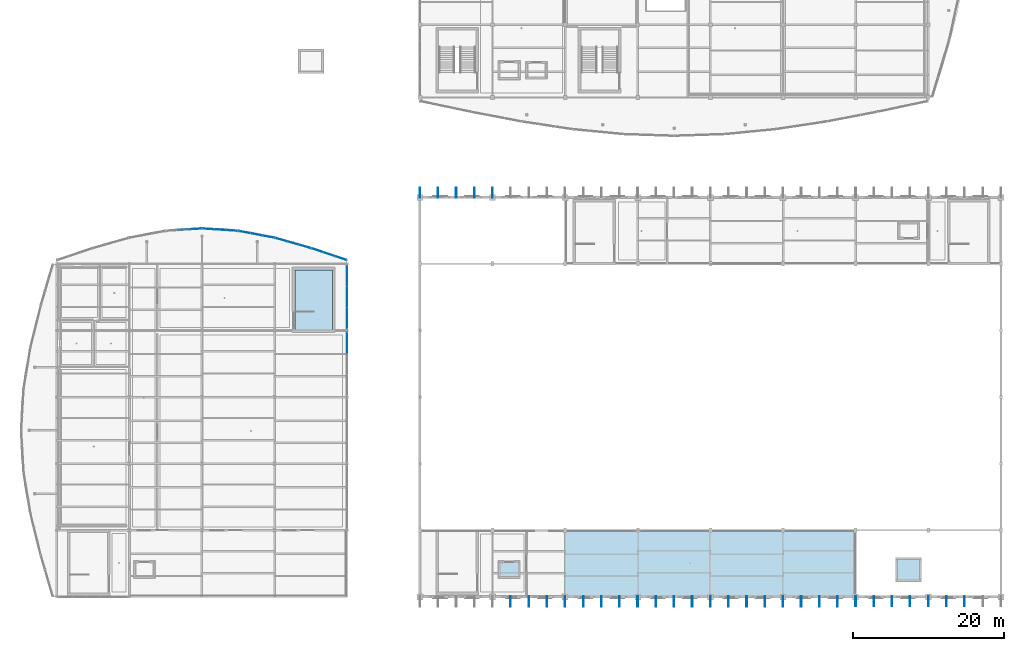
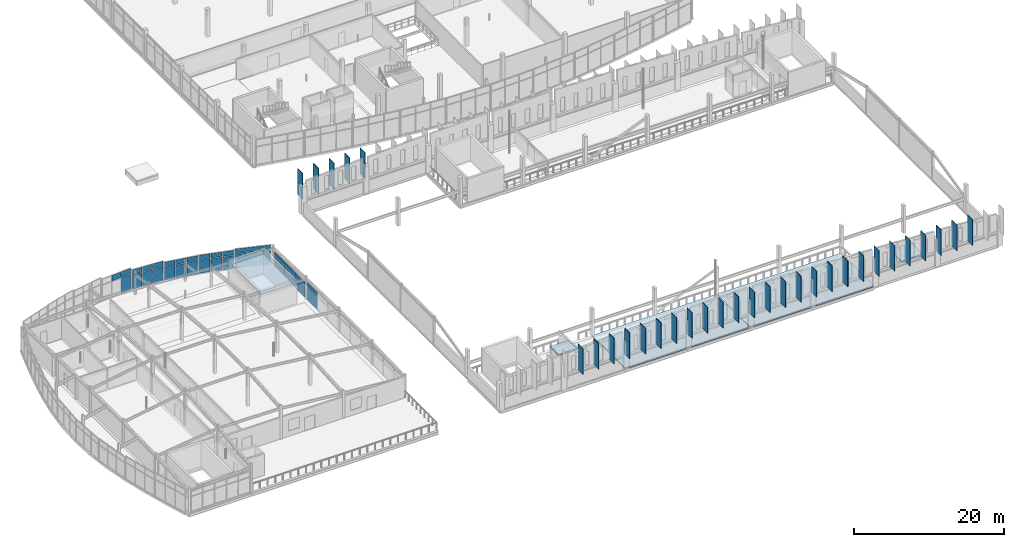
# One storey, part 83 of 114: 66 plates, 5 slabs, 7 elements without a shape of their own.
"""IFC4 building model written with IfcOpenShell, lengths in metres."""

import ifcopenshell
import ifcopenshell.guid

model = None  # the IFC model being written
_history = None  # IfcOwnerHistory: only IFC2X3 demands one
_inside = {}  # id of a spatial element -> (the spatial element, [elements in it])
_under = {}  # id of a project, library or spatial element -> (it, [spatial elements below it])
_declared = {}  # id of a project -> (the project, [libraries it declares])
_typed = {}  # id of a type object -> (the type object, [elements of that type])
_made_of = {}  # id of a material, layer set ... -> (it, [elements and type objects made of it])


def new_model(schema):
    """Start an empty IFC model of exactly this schema.

    Asked for "IFC4X3", IfcOpenShell would pick the latest addendum, in which some entities
    have other attributes; the version numbers below select the first issue.
    IFC2X3 requires an IfcOwnerHistory on every rooted entity: one is made here for all.
    """
    global model, _history
    if schema == "IFC4X3":
        model = ifcopenshell.file(schema_version=(4, 3, 0, 0))
    else:
        model = ifcopenshell.file(schema=schema)
    _inside.clear()
    _under.clear()
    _declared.clear()
    _typed.clear()
    _made_of.clear()
    _history = None
    if model.schema == "IFC2X3":
        org = make("IfcOrganization", Name="unknown")
        user = make(
            "IfcPersonAndOrganization",
            ThePerson=make("IfcPerson", FamilyName="unknown"),
            TheOrganization=org,
        )
        app = make(
            "IfcApplication",
            ApplicationDeveloper=org,
            Version="unknown",
            ApplicationFullName="unknown",
            ApplicationIdentifier="unknown",
        )
        _history = make(
            "IfcOwnerHistory",
            OwningUser=user,
            OwningApplication=app,
            ChangeAction="ADDED",
            CreationDate=0,
        )
    return model


def make(cls, **values):
    """One entity of the class cls with the attributes given. An attribute that is None is left unset."""
    return model.create_entity(
        cls, **{name: value for name, value in values.items() if value is not None}
    )


def rooted(cls, **values):
    """An entity with a GlobalId (a new one), such as an element, a storey or a relation."""
    return make(cls, GlobalId=ifcopenshell.guid.new(), OwnerHistory=_history, **values)


def si_unit(unit_type, name, prefix=None):
    """IfcSIUnit, for example si_unit("LENGTHUNIT", "METRE", prefix="MILLI")."""
    return make("IfcSIUnit", UnitType=unit_type, Prefix=prefix, Name=name)


def assignment(units):
    """IfcUnitAssignment: the units of a project."""
    return None if units is None else make("IfcUnitAssignment", Units=units)


def point(xyz):
    """IfcCartesianPoint."""
    return None if xyz is None else make("IfcCartesianPoint", Coordinates=xyz)


def direction(xyz):
    """IfcDirection."""
    return None if xyz is None else make("IfcDirection", DirectionRatios=xyz)


def frame(location, z_axis=None, x_axis=None):
    """IfcAxis2Placement3D, a coordinate frame: its origin and axes. An axis left out is left unset."""
    return make(
        "IfcAxis2Placement3D",
        Location=point(location),
        Axis=direction(z_axis),
        RefDirection=direction(x_axis),
    )


def frame_2d(location, x_axis=None):
    """IfcAxis2Placement2D, a coordinate frame in the plane: its origin and x axis."""
    return make(
        "IfcAxis2Placement2D", Location=point(location), RefDirection=direction(x_axis)
    )


def origin():
    """The frame at (0, 0, 0) with its axes left unset."""
    return frame((0.0, 0.0, 0.0))


def origin_2d():
    """The frame at (0, 0) in the plane with its x axis left unset."""
    return frame_2d((0.0, 0.0))


def place(relative_to, where):
    """IfcLocalPlacement: puts the frame where relative to a parent placement (None: the world)."""
    return make(
        "IfcLocalPlacement", PlacementRelTo=relative_to, RelativePlacement=where
    )


def context(
    kind, dimensions, precision=None, world=None, true_north=None, identifier=None
):
    """IfcGeometricRepresentationContext, for example the 3D "Model" context."""
    return make(
        "IfcGeometricRepresentationContext",
        ContextIdentifier=identifier,
        ContextType=kind,
        CoordinateSpaceDimension=dimensions,
        Precision=precision,
        WorldCoordinateSystem=world,
        TrueNorth=true_north,
    )


def subcontext(parent, identifier, kind, view, scale=None):
    """IfcGeometricRepresentationSubContext, for example "Body" below "Model"."""
    return make(
        "IfcGeometricRepresentationSubContext",
        ContextIdentifier=identifier,
        ContextType=kind,
        ParentContext=parent,
        TargetScale=scale,
        TargetView=view,
    )


def project(units=None, contexts=None):
    """IfcProject with its units and contexts."""
    return rooted(
        "IfcProject",
        Name="project",
        RepresentationContexts=contexts,
        UnitsInContext=assignment(units),
    )


def spatial(cls, under=None, at=None, **own):
    """A site, building, storey or space (cls), placed at a placement, below another one or the project."""
    s = rooted(cls, ObjectPlacement=at, **own)
    if under is not None:
        _under.setdefault(under.id(), (under, []))[1].append(s)
    return s


def polyline(points):
    """IfcPolyline through the points."""
    return make("IfcPolyline", Points=[point(p) for p in points])


def profile(cls, at=None, kind="AREA", **sizes):
    """A parametric profile (cls). Its sizes go by their IFC names, for example OverallWidth=200.0."""
    return make(cls, ProfileType=kind, Position=at, **sizes)


def rectangle(**sizes):
    """IfcRectangleProfileDef."""
    return profile("IfcRectangleProfileDef", **sizes)


def outline(outer, holes=None, kind="AREA"):
    """IfcArbitraryClosedProfileDef: a profile drawn as a closed curve; with holes, ...WithVoids."""
    if holes is None:
        return make("IfcArbitraryClosedProfileDef", ProfileType=kind, OuterCurve=outer)
    return make(
        "IfcArbitraryProfileDefWithVoids",
        ProfileType=kind,
        OuterCurve=outer,
        InnerCurves=holes,
    )


def extrude(swept, where, along, depth):
    """IfcExtrudedAreaSolid: the profile swept, set in the frame where, extruded along a direction by depth."""
    return make(
        "IfcExtrudedAreaSolid",
        SweptArea=swept,
        Position=where,
        ExtrudedDirection=direction(along),
        Depth=depth,
    )


def shape(context_of_items, identifier, shape_type, items):
    """IfcShapeRepresentation: the items that make up one representation, for example the "Body"."""
    return make(
        "IfcShapeRepresentation",
        ContextOfItems=context_of_items,
        RepresentationIdentifier=identifier,
        RepresentationType=shape_type,
        Items=items,
    )


def material(Name=None, Category=None):
    """IfcMaterial."""
    return make("IfcMaterial", Name=Name, Category=Category)


def layer(
    of_material, thickness, ventilated=None, Name=None, Category=None, Priority=None
):
    """IfcMaterialLayer: one layer of a wall or slab, of a material (None: an air gap)."""
    return make(
        "IfcMaterialLayer",
        Material=of_material,
        LayerThickness=thickness,
        IsVentilated=ventilated,
        Name=Name,
        Category=Category,
        Priority=Priority,
    )


def layer_set(layers, Name=None):
    """IfcMaterialLayerSet."""
    return make("IfcMaterialLayerSet", MaterialLayers=layers, LayerSetName=Name)


def made_of(thing, what):
    """Note that an element or type object is made of a material, layer set ...; save() writes the relation."""
    if what is not None:
        _made_of.setdefault(what.id(), (what, []))[1].append(thing)
    return thing


def type_object(cls, material=None, **own):
    """A type object (cls), such as IfcWallType, which elements share."""
    return made_of(rooted(cls, **own), material)


def element(
    cls,
    number,
    at=None,
    inside=None,
    cuts=None,
    type_object=None,
    material=None,
    context=None,
    identifier="Body",
    shape_type=None,
    held_by="IfcProductDefinitionShape",
    body=None,
    shapes=None,
    **own,
):
    """One element of the class cls, such as IfcWall. Its Tag is "e" and its number.

    at: its placement. inside: the storey or other place that contains it. cuts: it is an
    opening in that element (IfcRelVoidsElement). A single representation is given by context,
    identifier, shape_type and body (its items); several are given by shapes. held_by: the class
    of the entity that holds the representations. save() writes the other relations.
    """
    e = rooted(cls, Tag="e%d" % number, ObjectPlacement=at, **own)
    if body is not None:
        shapes = [shape(context, identifier, shape_type, body)]
    if shapes is not None:
        e.Representation = make(held_by, Representations=shapes)
    if inside is not None:
        _inside.setdefault(inside.id(), (inside, []))[1].append(e)
    if cuts is not None:
        rooted(
            "IfcRelVoidsElement", RelatingBuildingElement=cuts, RelatedOpeningElement=e
        )
    if type_object is not None:
        _typed.setdefault(type_object.id(), (type_object, []))[1].append(e)
    return made_of(e, material)


def aggregate(whole, parts):
    """IfcRelAggregates: a whole, such as a stair, and the parts it consists of."""
    return rooted("IfcRelAggregates", RelatingObject=whole, RelatedObjects=parts)


def save(model, path):
    """Write the relations noted so far, then the file.

    IfcRelAggregates (storeys below a building ...), IfcRelContainedInSpatialStructure (elements
    in a storey), IfcRelDefinesByType, IfcRelAssociatesMaterial and IfcRelDeclares: one each for
    every whole, place, type object, material and project.
    """
    for whole, parts in _under.values():
        aggregate(whole, parts)
    for where, things in _inside.values():
        rooted(
            "IfcRelContainedInSpatialStructure",
            RelatedElements=things,
            RelatingStructure=where,
        )
    for kind, things in _typed.values():
        rooted("IfcRelDefinesByType", RelatedObjects=things, RelatingType=kind)
    for what, things in _made_of.values():
        rooted("IfcRelAssociatesMaterial", RelatedObjects=things, RelatingMaterial=what)
    for by, libraries in _declared.values():
        rooted("IfcRelDeclares", RelatingContext=by, RelatedDefinitions=libraries)
    model.write(path)


model = new_model("IFC4")

# Units and contexts
model_context = context("Model", 3, precision=1e-05, world=origin(), true_north=direction((0.0, 1.0)))
body_context = subcontext(model_context, "Body", "Model", "MODEL_VIEW")
ifc_project = project(units=[si_unit("LENGTHUNIT", "METRE"), si_unit("AREAUNIT", "SQUARE_METRE"), si_unit("VOLUMEUNIT", "CUBIC_METRE"), si_unit("PLANEANGLEUNIT", "RADIAN"), si_unit("MASSUNIT", "GRAM", prefix="KILO")], contexts=[model_context])

# Site, building, storey
site_placement = place(None, origin())
site = spatial("IfcSite", under=ifc_project, at=site_placement, CompositionType="ELEMENT")
building_placement = place(site_placement, origin())
building = spatial("IfcBuilding", under=site, at=building_placement, Name="Chalmorin Arch Market", CompositionType="ELEMENT")
storey_placement = place(building_placement, frame((0.0, 0.0, 9.60009765625)))
storey = spatial("IfcBuildingStorey", under=building, at=storey_placement, Name="L02", CompositionType="ELEMENT", Elevation=9.60009765625)

# Slabs
ifc_material_1 = material(Name="Concrete C40/50", Category="concrete")
ifc_layer_1 = layer(ifc_material_1, 0.219970703125)
ifc_layer_set_1 = layer_set([ifc_layer_1], Name="Concrete C40/50")
slab_type_1 = type_object("IfcSlabType", Name="ColonnadeCanopySlab-220", PredefinedType="ROOF", material=ifc_layer_set_1)
slab_1_placement = place(storey_placement, frame((0.0, 0.0, 2.949951171875)))
element("IfcSlab", 1, at=slab_1_placement, inside=storey, type_object=slab_type_1, Name="RS-SC2-CAP", PredefinedType="ROOF", context=body_context, shape_type="SweptSolid", body=[
    extrude(outline(polyline([(31.469970703125, 41.27001953125), (36.429931640625, 41.27001953125), (36.429931640625, 49.22998046875), (31.469970703125, 49.22998046875), (31.469970703125, 41.27001953125)])), origin(), (0.0, 0.0, 1.0), 0.219970703125),
])
slab_2_placement = place(storey_placement, frame((0.0, 0.0, 3.5498046875)))
element("IfcSlab", 2, at=slab_2_placement, inside=storey, type_object=slab_type_1, Name="RS-LF-P2-OVR", PredefinedType="ROOF", context=body_context, shape_type="SweptSolid", body=[
    extrude(outline(polyline([(58.3798828125, 8.455078125), (61.219970703125, 8.455078125), (61.219970703125, 10.7451171875), (58.3798828125, 10.7451171875), (58.3798828125, 8.455078125)])), origin(), (0.0, 0.0, 1.0), 0.22021484375),
])
slab_3_placement = place(storey_placement, frame((0.0, 0.0, 0.64990234375)))
element("IfcSlab", 3, at=slab_3_placement, inside=storey, type_object=slab_type_1, Name="RS-LF-FR2-OVR", PredefinedType="ROOF", context=body_context, shape_type="SweptSolid", body=[
    extrude(outline(polyline([(110.929931640625, 8.030029296875), (114.27001953125, 8.030029296875), (114.27001953125, 11.169921875), (110.929931640625, 11.169921875), (110.929931640625, 8.030029296875)])), origin(), (0.0, 0.0, 1.0), 0.219970703125),
])

# Plates
ifc_material_2 = material(Name="Aluminium 6063-T6", Category="aluminium")
ifc_layer_2 = layer(ifc_material_2, 0.080078125)
ifc_layer_set_2 = layer_set([ifc_layer_2], Name="Aluminium 6063-T6")
plate_type_1 = type_object("IfcPlateType", Name="ParametricWaveFinPlate-850x60x4200", PredefinedType="SHEET", material=ifc_layer_set_2)
for number, where, z_axis, x_axis, name in (
    (4, (48.0, 59.4150390625, 2.25), (0.0, 0.0, 1.0), (0.0, 1.0, 0.0), "PWF-01-096"),
    (5, (50.39990234375, 59.4150390625, 2.25), (0.0, 0.0, 1.0), (0.0, 1.0, 0.0), "PWF-01-098"),
    (6, (52.800048828125, 59.4150390625, 2.25), (0.0, 0.0, 1.0), (0.0, 1.0, 0.0), "PWF-01-100"),
    (7, (55.199951171875, 59.4150390625, 2.25), (0.0, 0.0, 1.0), (0.0, 1.0, 0.0), "PWF-01-102"),
    (8, (57.60009765625, 59.4150390625, 2.25), (0.0, 0.0, 1.0), (0.0, 1.0, 0.0), "PWF-01-104"),
    (9, (60.0, 5.385009765625, 2.25), (0.0, 0.0, 1.0), (0.0, 1.0, 0.0), "PWF-01-105"),
    (10, (62.39990234375, 5.385009765625, 2.25), (0.0, 0.0, 1.0), (0.0, 1.0, 0.0), "PWF-01-107"),
    (11, (64.800048828125, 5.385009765625, 2.25), (0.0, 0.0, 1.0), (0.0, 1.0, 0.0), "PWF-01-109"),
    (12, (67.199951171875, 5.385009765625, 2.25), (0.0, 0.0, 1.0), (0.0, 1.0, 0.0), "PWF-01-111"),
    (13, (69.60009765625, 5.385009765625, 2.25), (0.0, 0.0, 1.0), (0.0, 1.0, 0.0), "PWF-01-113"),
    (14, (72.0, 5.385009765625, 2.25), (0.0, 0.0, 1.0), (0.0, 1.0, 0.0), "PWF-01-115"),
    (15, (74.39990234375, 5.385009765625, 2.25), (0.0, 0.0, 1.0), (0.0, 1.0, 0.0), "PWF-01-117"),
    (16, (76.800048828125, 5.385009765625, 2.25), (0.0, 0.0, 1.0), (0.0, 1.0, 0.0), "PWF-01-119"),
    (17, (79.199951171875, 5.385009765625, 2.25), (0.0, 0.0, 1.0), (0.0, 1.0, 0.0), "PWF-01-121"),
    (18, (81.60009765625, 5.385009765625, 2.25), (0.0, 0.0, 1.0), (0.0, 1.0, 0.0), "PWF-01-123"),
    (19, (84.0, 5.385009765625, 2.25), (0.0, 0.0, 1.0), (0.0, 1.0, 0.0), "PWF-01-125"),
    (20, (86.39990234375, 5.385009765625, 2.25), (0.0, 0.0, 1.0), (0.0, 1.0, 0.0), "PWF-01-127"),
    (21, (88.800048828125, 5.385009765625, 2.25), (0.0, 0.0, 1.0), (0.0, 1.0, 0.0), "PWF-01-129"),
    (22, (91.199951171875, 5.385009765625, 2.25), (0.0, 0.0, 1.0), (0.0, 1.0, 0.0), "PWF-01-131"),
    (23, (93.60009765625, 5.385009765625, 2.25), (0.0, 0.0, 1.0), (0.0, 1.0, 0.0), "PWF-01-133"),
    (24, (96.0, 5.385009765625, 2.25), (0.0, 0.0, 1.0), (0.0, 1.0, 0.0), "PWF-01-135"),
    (25, (98.39990234375, 5.385009765625, 2.25), (0.0, 0.0, 1.0), (0.0, 1.0, 0.0), "PWF-01-137"),
    (26, (100.800048828125, 5.385009765625, 2.25), (0.0, 0.0, 1.0), (0.0, 1.0, 0.0), "PWF-01-139"),
    (27, (103.199951171875, 5.385009765625, 2.25), (0.0, 0.0, 1.0), (0.0, 1.0, 0.0), "PWF-01-141"),
    (28, (105.60009765625, 5.385009765625, 2.25), (0.0, 0.0, 1.0), (0.0, 1.0, 0.0), "PWF-01-143"),
    (29, (108.0, 5.385009765625, 2.25), (0.0, 0.0, 1.0), (0.0, 1.0, 0.0), "PWF-01-145"),
    (30, (110.39990234375, 5.385009765625, 2.25), (0.0, 0.0, 1.0), (0.0, 1.0, 0.0), "PWF-01-147"),
    (31, (112.800048828125, 5.385009765625, 2.25), (0.0, 0.0, 1.0), (0.0, 1.0, 0.0), "PWF-01-149"),
    (32, (115.199951171875, 5.385009765625, 2.25), (0.0, 0.0, 1.0), (0.0, 1.0, 0.0), "PWF-01-151"),
    (33, (117.60009765625, 5.385009765625, 2.25), (0.0, 0.0, 1.0), (0.0, 1.0, 0.0), "PWF-01-153"),
    (34, (120.0, 5.385009765625, 2.25), (0.0, 0.0, 1.0), (0.0, 1.0, 0.0), "PWF-01-155"),
):
    element("IfcPlate", number, at=place(storey_placement, frame(where, z_axis=z_axis, x_axis=x_axis)), inside=storey, type_object=plate_type_1, Name=name, PredefinedType="SHEET", context=body_context, shape_type="SweptSolid", body=[
        extrude(rectangle(XDim=1.35009765625, YDim=0.080078125, at=origin_2d()), origin(), (0.0, 0.0, 1.0), 4.199951171875),
    ])

# Curtain wall, plates
ifc_layer_3 = layer(ifc_material_2, 0.159912109375)
ifc_layer_set_3 = layer_set([ifc_layer_3], Name="Aluminium 6063-T6")
curtain_wall_type_1 = type_object("IfcCurtainWallType", Name="RiverfrontStorefrontCurtainWall-CW2-4630x3670", PredefinedType="NOTDEFINED", material=ifc_layer_set_3)
curtain_wall_1_placement = place(storey_placement, origin())
curtain_wall_1 = element("IfcCurtainWall", 35, at=curtain_wall_1_placement, inside=storey, type_object=curtain_wall_type_1, Name="CW-02-080", PredefinedType="NOTDEFINED")
ifc_material_3 = material(Name="Powder-coated Aluminium Panel", Category="aluminium")
ifc_layer_4 = layer(ifc_material_3, 0.0400390625)
ifc_layer_set_4 = layer_set([ifc_layer_4], Name="Powder-coated Aluminium Panel")
plate_type_2 = type_object("IfcPlateType", Name="ShadowboxSpandrelPanel-40", PredefinedType="CURTAIN_PANEL", material=ifc_layer_set_4)
plate_1_placement = place(storey_placement, frame((16.800048828125, 54.52001953125, 2.6904296875), z_axis=(0.0, 0.0, 1.0), x_axis=(0.99756405026, 0.069756473744, 0.0)))
plate_1 = element("IfcPlate", 36, at=plate_1_placement, type_object=plate_type_2, Name="SP-40-080-02B", PredefinedType="CURTAIN_PANEL", context=body_context, shape_type="SweptSolid", body=[
    extrude(rectangle(XDim=1.463623046875, YDim=0.0400390625, at=origin_2d()), origin(), (0.0, 0.0, 1.0), 0.913818359375),
])
plate_2_placement = place(storey_placement, frame((18.340087890625, 54.622802734375, 2.6904296875), z_axis=(0.0, 0.0, 1.0), x_axis=(0.99756405026, 0.069756473744, 0.0)))
plate_2 = element("IfcPlate", 37, at=plate_2_placement, type_object=plate_type_2, Name="SP-40-080-03B", PredefinedType="CURTAIN_PANEL", context=body_context, shape_type="SweptSolid", body=[
    extrude(rectangle(XDim=1.463623046875, YDim=0.0400390625, at=origin_2d()), origin(), (0.0, 0.0, 1.0), 0.913818359375),
])

ifc_layer_5 = layer(ifc_material_2, 0.159912109375)
ifc_layer_set_5 = layer_set([ifc_layer_5], Name="Aluminium 6063-T6")
curtain_wall_type_2 = type_object("IfcCurtainWallType", Name="RiverfrontStorefrontCurtainWall-CW2-4630x3330", PredefinedType="NOTDEFINED", material=ifc_layer_set_5)
curtain_wall_2_placement = place(storey_placement, origin())
curtain_wall_2 = element("IfcCurtainWall", 38, at=curtain_wall_2_placement, inside=storey, type_object=curtain_wall_type_2, Name="CW-02-083", PredefinedType="NOTDEFINED")
plate_3_placement = place(storey_placement, frame((20.059814453125, 54.622802734375, 2.439453125), z_axis=(0.0, 0.0, 1.0), x_axis=(0.99756405026, -0.069756473744, 0.0)))
plate_3 = element("IfcPlate", 39, at=plate_3_placement, type_object=plate_type_2, Name="SP-40-083-01B", PredefinedType="CURTAIN_PANEL", context=body_context, shape_type="SweptSolid", body=[
    extrude(rectangle(XDim=1.463623046875, YDim=0.0400390625, at=origin_2d()), origin(), (0.0, 0.0, 1.0), 0.81640625),
])
plate_4_placement = place(storey_placement, frame((21.60009765625, 54.52001953125, 2.439453125), z_axis=(0.0, 0.0, 1.0), x_axis=(0.99756405026, -0.069756473744, 0.0)))
plate_4 = element("IfcPlate", 40, at=plate_4_placement, type_object=plate_type_2, Name="SP-40-083-02B", PredefinedType="CURTAIN_PANEL", context=body_context, shape_type="SweptSolid", body=[
    extrude(rectangle(XDim=1.463623046875, YDim=0.0400390625, at=origin_2d()), origin(), (0.0, 0.0, 1.0), 0.81640625),
])
plate_5_placement = place(storey_placement, frame((23.14013671875, 54.417236328125, 2.439453125), z_axis=(0.0, 0.0, 1.0), x_axis=(0.99756405026, -0.069756473744, 0.0)))
plate_5 = element("IfcPlate", 41, at=plate_5_placement, type_object=plate_type_2, Name="SP-40-083-03B", PredefinedType="CURTAIN_PANEL", context=body_context, shape_type="SweptSolid", body=[
    extrude(rectangle(XDim=1.463623046875, YDim=0.0400390625, at=origin_2d()), origin(), (0.0, 0.0, 1.0), 0.81640625),
])

ifc_layer_6 = layer(ifc_material_2, 0.159912109375)
ifc_layer_set_6 = layer_set([ifc_layer_6], Name="Aluminium 6063-T6")
curtain_wall_type_3 = type_object("IfcCurtainWallType", Name="RiverfrontStorefrontCurtainWall-CW2-4710x3090", PredefinedType="NOTDEFINED", material=ifc_layer_set_6)
curtain_wall_3_placement = place(storey_placement, origin())
curtain_wall_3 = element("IfcCurtainWall", 42, at=curtain_wall_3_placement, inside=storey, type_object=curtain_wall_type_3, Name="CW-02-086", PredefinedType="NOTDEFINED")
plate_6_placement = place(storey_placement, frame((24.85888671875, 54.197021484375, 2.2705078125), z_axis=(0.0, 0.0, 1.0), x_axis=(0.981627183448, -0.190808995377, 0.0)))
plate_6 = element("IfcPlate", 43, at=plate_6_placement, type_object=plate_type_2, Name="SP-40-086-01B", PredefinedType="CURTAIN_PANEL", context=body_context, shape_type="SweptSolid", body=[
    extrude(rectangle(XDim=1.488525390625, YDim=0.0400390625, at=origin_2d()), origin(), (0.0, 0.0, 1.0), 0.75048828125),
])
plate_7_placement = place(storey_placement, frame((26.39990234375, 53.905029296875, 2.2705078125), z_axis=(0.0, 0.0, 1.0), x_axis=(0.981627183448, -0.190808995377, 0.0)))
plate_7 = element("IfcPlate", 44, at=plate_7_placement, type_object=plate_type_2, Name="SP-40-086-02B", PredefinedType="CURTAIN_PANEL", context=body_context, shape_type="SweptSolid", body=[
    extrude(rectangle(XDim=1.488525390625, YDim=0.0400390625, at=origin_2d()), origin(), (0.0, 0.0, 1.0), 0.75048828125),
])
plate_8_placement = place(storey_placement, frame((27.941162109375, 53.61279296875, 2.2705078125), z_axis=(0.0, 0.0, 1.0), x_axis=(0.981627183448, -0.190808995377, 0.0)))
plate_8 = element("IfcPlate", 45, at=plate_8_placement, type_object=plate_type_2, Name="SP-40-086-03B", PredefinedType="CURTAIN_PANEL", context=body_context, shape_type="SweptSolid", body=[
    extrude(rectangle(XDim=1.488525390625, YDim=0.0400390625, at=origin_2d()), origin(), (0.0, 0.0, 1.0), 0.75048828125),
])

ifc_layer_7 = layer(ifc_material_2, 0.159912109375)
ifc_layer_set_7 = layer_set([ifc_layer_7], Name="Aluminium 6063-T6")
curtain_wall_type_4 = type_object("IfcCurtainWallType", Name="RiverfrontStorefrontCurtainWall-CW2-4810x3110", PredefinedType="NOTDEFINED", material=ifc_layer_set_7)
curtain_wall_4_placement = place(storey_placement, origin())
curtain_wall_4 = element("IfcCurtainWall", 46, at=curtain_wall_4_placement, inside=storey, type_object=curtain_wall_type_4, Name="CW-02-089", PredefinedType="NOTDEFINED")
plate_9_placement = place(storey_placement, frame((29.65771484375, 53.206298828125, 2.287109375), z_axis=(0.0, 0.0, 1.0), x_axis=(0.961261695938, -0.275637355817, 0.0)))
plate_9 = element("IfcPlate", 47, at=plate_9_placement, type_object=plate_type_2, Name="SP-40-089-01B", PredefinedType="CURTAIN_PANEL", context=body_context, shape_type="SweptSolid", body=[
    extrude(rectangle(XDim=1.523193359375, YDim=0.0400390625, at=origin_2d()), origin(), (0.0, 0.0, 1.0), 0.7568359375),
])
plate_10_placement = place(storey_placement, frame((31.199951171875, 52.7685546875, 2.287109375), z_axis=(0.0, 0.0, 1.0), x_axis=(0.961261695938, -0.275637355817, 0.0)))
plate_10 = element("IfcPlate", 48, at=plate_10_placement, type_object=plate_type_2, Name="SP-40-089-02B", PredefinedType="CURTAIN_PANEL", context=body_context, shape_type="SweptSolid", body=[
    extrude(rectangle(XDim=1.523193359375, YDim=0.0400390625, at=origin_2d()), origin(), (0.0, 0.0, 1.0), 0.7568359375),
])
plate_11_placement = place(storey_placement, frame((32.7421875, 52.33056640625, 2.287109375), z_axis=(0.0, 0.0, 1.0), x_axis=(0.961261695938, -0.275637355817, 0.0)))
plate_11 = element("IfcPlate", 49, at=plate_11_placement, type_object=plate_type_2, Name="SP-40-089-03B", PredefinedType="CURTAIN_PANEL", context=body_context, shape_type="SweptSolid", body=[
    extrude(rectangle(XDim=1.523193359375, YDim=0.0400390625, at=origin_2d()), origin(), (0.0, 0.0, 1.0), 0.7568359375),
])

ifc_layer_8 = layer(ifc_material_2, 0.159912109375)
ifc_layer_set_8 = layer_set([ifc_layer_8], Name="Aluminium 6063-T6")
curtain_wall_type_5 = type_object("IfcCurtainWallType", Name="RiverfrontStorefrontCurtainWall-CW2-4880x3280", PredefinedType="NOTDEFINED", material=ifc_layer_set_8)
curtain_wall_5_placement = place(storey_placement, origin())
curtain_wall_5 = element("IfcCurtainWall", 50, at=curtain_wall_5_placement, inside=storey, type_object=curtain_wall_type_5, Name="CW-02-092", PredefinedType="NOTDEFINED")
plate_12_placement = place(storey_placement, frame((34.456787109375, 51.800048828125, 2.40625), z_axis=(0.0, 0.0, 1.0), x_axis=(0.945518575599, -0.325568154457, 0.0)))
plate_12 = element("IfcPlate", 51, at=plate_12_placement, type_object=plate_type_2, Name="SP-40-092-01B", PredefinedType="CURTAIN_PANEL", context=body_context, shape_type="SweptSolid", body=[
    extrude(rectangle(XDim=1.54736328125, YDim=0.0400390625, at=origin_2d()), origin(), (0.0, 0.0, 1.0), 0.803466796875),
])
plate_13_placement = place(storey_placement, frame((36.0, 51.283447265625, 2.40625), z_axis=(0.0, 0.0, 1.0), x_axis=(0.945518575599, -0.325568154457, 0.0)))
plate_13 = element("IfcPlate", 52, at=plate_13_placement, type_object=plate_type_2, Name="SP-40-092-02B", PredefinedType="CURTAIN_PANEL", context=body_context, shape_type="SweptSolid", body=[
    extrude(rectangle(XDim=1.54736328125, YDim=0.0400390625, at=origin_2d()), origin(), (0.0, 0.0, 1.0), 0.803466796875),
])
plate_14_placement = place(storey_placement, frame((37.543212890625, 50.766845703125, 2.40625), z_axis=(0.0, 0.0, 1.0), x_axis=(0.945518575599, -0.325568154457, 0.0)))
plate_14 = element("IfcPlate", 53, at=plate_14_placement, type_object=plate_type_2, Name="SP-40-092-03B", PredefinedType="CURTAIN_PANEL", context=body_context, shape_type="SweptSolid", body=[
    extrude(rectangle(XDim=1.54736328125, YDim=0.0400390625, at=origin_2d()), origin(), (0.0, 0.0, 1.0), 0.803466796875),
])

# Curtain wall, plate
ifc_layer_9 = layer(ifc_material_2, 0.159912109375)
ifc_layer_set_9 = layer_set([ifc_layer_9], Name="Aluminium 6063-T6")
curtain_wall_type_6 = type_object("IfcCurtainWallType", Name="RiverfrontStorefrontCurtainWall-CW2-8330x2990", PredefinedType="NOTDEFINED", material=ifc_layer_set_9)
curtain_wall_6_placement = place(storey_placement, origin())
curtain_wall_6 = element("IfcCurtainWall", 54, at=curtain_wall_6_placement, inside=storey, type_object=curtain_wall_type_6, Name="CW-02-104", PredefinedType="NOTDEFINED")
plate_15_placement = place(storey_placement, frame((38.39990234375, 39.5751953125, 2.2001953125), z_axis=(0.0, 0.0, 1.0), x_axis=(0.0, 1.0, 0.0)))
plate_15 = element("IfcPlate", 55, at=plate_15_placement, type_object=plate_type_2, Name="SP-40-104-03B", PredefinedType="CURTAIN_PANEL", context=body_context, shape_type="SweptSolid", body=[
    extrude(rectangle(XDim=2.6953125, YDim=0.0400390625, at=origin_2d()), origin(), (0.0, 0.0, 1.0), 0.72314453125),
])

# Curtain wall, plates
ifc_layer_10 = layer(ifc_material_2, 0.159912109375)
ifc_layer_set_10 = layer_set([ifc_layer_10], Name="Aluminium 6063-T6")
curtain_wall_type_7 = type_object("IfcCurtainWallType", Name="RiverfrontStorefrontCurtainWall-CW2-8330x2650", PredefinedType="NOTDEFINED", material=ifc_layer_set_10)
curtain_wall_7_placement = place(storey_placement, origin())
curtain_wall_7 = element("IfcCurtainWall", 56, at=curtain_wall_7_placement, inside=storey, type_object=curtain_wall_type_7, Name="CW-02-106", PredefinedType="NOTDEFINED")
plate_16_placement = place(storey_placement, frame((38.39990234375, 42.82470703125, 1.94970703125), z_axis=(0.0, 0.0, 1.0), x_axis=(0.0, 1.0, 0.0)))
plate_16 = element("IfcPlate", 57, at=plate_16_placement, type_object=plate_type_2, Name="SP-40-106-01B", PredefinedType="CURTAIN_PANEL", context=body_context, shape_type="SweptSolid", body=[
    extrude(rectangle(XDim=2.6953125, YDim=0.0400390625, at=origin_2d()), origin(), (0.0, 0.0, 1.0), 0.625732421875),
])
plate_17_placement = place(storey_placement, frame((38.39990234375, 45.60009765625, 1.94970703125), z_axis=(0.0, 0.0, 1.0), x_axis=(0.0, 1.0, 0.0)))
plate_17 = element("IfcPlate", 58, at=plate_17_placement, type_object=plate_type_2, Name="SP-40-106-02B", PredefinedType="CURTAIN_PANEL", context=body_context, shape_type="SweptSolid", body=[
    extrude(rectangle(XDim=2.6953125, YDim=0.0400390625, at=origin_2d()), origin(), (0.0, 0.0, 1.0), 0.625732421875),
])
plate_18_placement = place(storey_placement, frame((38.39990234375, 48.375244140625, 1.94970703125), z_axis=(0.0, 0.0, 1.0), x_axis=(0.0, 1.0, 0.0)))
plate_18 = element("IfcPlate", 59, at=plate_18_placement, type_object=plate_type_2, Name="SP-40-106-03B", PredefinedType="CURTAIN_PANEL", context=body_context, shape_type="SweptSolid", body=[
    extrude(rectangle(XDim=2.6953125, YDim=0.0400390625, at=origin_2d()), origin(), (0.0, 0.0, 1.0), 0.625732421875),
])

# Slabs
ifc_layer_11 = layer(ifc_material_1, 0.22998046875)
ifc_layer_set_11 = layer_set([ifc_layer_11], Name="Concrete C40/50")
slab_type_2 = type_object("IfcSlabType", Name="UpperGallerySlab-230", PredefinedType="FLOOR", material=ifc_layer_set_11)
slab_4_placement = place(storey_placement, frame((0.0, 0.0, -0.22998046875)))
element("IfcSlab", 60, at=slab_4_placement, inside=storey, type_object=slab_type_2, Name="FS-230-106", PredefinedType="FLOOR", context=body_context, shape_type="SweptSolid", body=[
    extrude(outline(polyline([(67.2099609375, 6.010009765625), (86.389892578125, 6.010009765625), (86.389892578125, 14.800048828125), (67.2099609375, 14.800048828125), (67.2099609375, 6.010009765625)])), origin(), (0.0, 0.0, 1.0), 0.22998046875),
])
slab_5_placement = place(storey_placement, frame((0.0, 0.0, -0.22998046875)))
element("IfcSlab", 61, at=slab_5_placement, inside=storey, type_object=slab_type_2, Name="FS-230-108", PredefinedType="FLOOR", context=body_context, shape_type="SweptSolid", body=[
    extrude(outline(polyline([(86.409912109375, 6.010009765625), (105.590087890625, 6.010009765625), (105.590087890625, 14.800048828125), (86.409912109375, 14.800048828125), (86.409912109375, 6.010009765625)])), origin(), (0.0, 0.0, 1.0), 0.22998046875),
])

# Plate
ifc_material_4 = material(Name="Low-E Tempered Glass", Category="glass")
ifc_layer_12 = layer(ifc_material_4, 0.028076171875)
ifc_layer_set_12 = layer_set([ifc_layer_12], Name="Low-E Tempered Glass")
plate_type_3 = type_object("IfcPlateType", Name="VisionIGUPanel-28", PredefinedType="CURTAIN_PANEL", material=ifc_layer_set_12)
plate_19_placement = place(storey_placement, frame((18.340087890625, 54.622802734375, 0.070068359375), z_axis=(0.0, 0.0, 1.0), x_axis=(0.99756405026, 0.069756473744, 0.0)))
plate_19 = element("IfcPlate", 62, at=plate_19_placement, type_object=plate_type_3, Name="GL-28-080-03A", PredefinedType="CURTAIN_PANEL", context=body_context, shape_type="SweptSolid", body=[
    extrude(rectangle(XDim=1.463623046875, YDim=0.028076171875, at=origin_2d()), origin(), (0.0, 0.0, 1.0), 2.5302734375),
])

aggregate(curtain_wall_1, [plate_1, plate_19, plate_2])

plate_20_placement = place(storey_placement, frame((20.059814453125, 54.622802734375, 0.06982421875), z_axis=(0.0, 0.0, 1.0), x_axis=(0.99756405026, -0.069756473744, 0.0)))
plate_20 = element("IfcPlate", 63, at=plate_20_placement, type_object=plate_type_3, Name="GL-28-083-01A", PredefinedType="CURTAIN_PANEL", context=body_context, shape_type="SweptSolid", body=[
    extrude(rectangle(XDim=1.463623046875, YDim=0.028076171875, at=origin_2d()), origin(), (0.0, 0.0, 1.0), 2.27978515625),
])

plate_21_placement = place(storey_placement, frame((21.60009765625, 54.52001953125, 0.06982421875), z_axis=(0.0, 0.0, 1.0), x_axis=(0.99756405026, -0.069756473744, 0.0)))
plate_21 = element("IfcPlate", 64, at=plate_21_placement, type_object=plate_type_3, Name="GL-28-083-02A", PredefinedType="CURTAIN_PANEL", context=body_context, shape_type="SweptSolid", body=[
    extrude(rectangle(XDim=1.463623046875, YDim=0.028076171875, at=origin_2d()), origin(), (0.0, 0.0, 1.0), 2.27978515625),
])

plate_22_placement = place(storey_placement, frame((23.14013671875, 54.417236328125, 0.06982421875), z_axis=(0.0, 0.0, 1.0), x_axis=(0.99756405026, -0.069756473744, 0.0)))
plate_22 = element("IfcPlate", 65, at=plate_22_placement, type_object=plate_type_3, Name="GL-28-083-03A", PredefinedType="CURTAIN_PANEL", context=body_context, shape_type="SweptSolid", body=[
    extrude(rectangle(XDim=1.463623046875, YDim=0.028076171875, at=origin_2d()), origin(), (0.0, 0.0, 1.0), 2.27978515625),
])

aggregate(curtain_wall_2, [plate_20, plate_3, plate_21, plate_4, plate_22, plate_5])

plate_23_placement = place(storey_placement, frame((24.85888671875, 54.197021484375, 0.06982421875), z_axis=(0.0, 0.0, 1.0), x_axis=(0.981627183448, -0.190808995377, 0.0)))
plate_23 = element("IfcPlate", 66, at=plate_23_placement, type_object=plate_type_3, Name="GL-28-086-01A", PredefinedType="CURTAIN_PANEL", context=body_context, shape_type="SweptSolid", body=[
    extrude(rectangle(XDim=1.488525390625, YDim=0.028076171875, at=origin_2d()), origin(), (0.0, 0.0, 1.0), 2.110595703125),
])

plate_24_placement = place(storey_placement, frame((26.39990234375, 53.905029296875, 0.06982421875), z_axis=(0.0, 0.0, 1.0), x_axis=(0.981627183448, -0.190808995377, 0.0)))
plate_24 = element("IfcPlate", 67, at=plate_24_placement, type_object=plate_type_3, Name="GL-28-086-02A", PredefinedType="CURTAIN_PANEL", context=body_context, shape_type="SweptSolid", body=[
    extrude(rectangle(XDim=1.488525390625, YDim=0.028076171875, at=origin_2d()), origin(), (0.0, 0.0, 1.0), 2.110595703125),
])

plate_25_placement = place(storey_placement, frame((27.941162109375, 53.61279296875, 0.06982421875), z_axis=(0.0, 0.0, 1.0), x_axis=(0.981627183448, -0.190808995377, 0.0)))
plate_25 = element("IfcPlate", 68, at=plate_25_placement, type_object=plate_type_3, Name="GL-28-086-03A", PredefinedType="CURTAIN_PANEL", context=body_context, shape_type="SweptSolid", body=[
    extrude(rectangle(XDim=1.488525390625, YDim=0.028076171875, at=origin_2d()), origin(), (0.0, 0.0, 1.0), 2.110595703125),
])

aggregate(curtain_wall_3, [plate_23, plate_6, plate_24, plate_7, plate_25, plate_8])

plate_26_placement = place(storey_placement, frame((29.65771484375, 53.206298828125, 0.06982421875), z_axis=(0.0, 0.0, 1.0), x_axis=(0.961261695938, -0.275637355817, 0.0)))
plate_26 = element("IfcPlate", 69, at=plate_26_placement, type_object=plate_type_3, Name="GL-28-089-01A", PredefinedType="CURTAIN_PANEL", context=body_context, shape_type="SweptSolid", body=[
    extrude(rectangle(XDim=1.523193359375, YDim=0.028076171875, at=origin_2d()), origin(), (0.0, 0.0, 1.0), 2.127197265625),
])

plate_27_placement = place(storey_placement, frame((31.199951171875, 52.7685546875, 0.06982421875), z_axis=(0.0, 0.0, 1.0), x_axis=(0.961261695938, -0.275637355817, 0.0)))
plate_27 = element("IfcPlate", 70, at=plate_27_placement, type_object=plate_type_3, Name="GL-28-089-02A", PredefinedType="CURTAIN_PANEL", context=body_context, shape_type="SweptSolid", body=[
    extrude(rectangle(XDim=1.523193359375, YDim=0.028076171875, at=origin_2d()), origin(), (0.0, 0.0, 1.0), 2.127197265625),
])

plate_28_placement = place(storey_placement, frame((32.7421875, 52.33056640625, 0.06982421875), z_axis=(0.0, 0.0, 1.0), x_axis=(0.961261695938, -0.275637355817, 0.0)))
plate_28 = element("IfcPlate", 71, at=plate_28_placement, type_object=plate_type_3, Name="GL-28-089-03A", PredefinedType="CURTAIN_PANEL", context=body_context, shape_type="SweptSolid", body=[
    extrude(rectangle(XDim=1.523193359375, YDim=0.028076171875, at=origin_2d()), origin(), (0.0, 0.0, 1.0), 2.127197265625),
])

aggregate(curtain_wall_4, [plate_26, plate_9, plate_27, plate_10, plate_28, plate_11])

plate_29_placement = place(storey_placement, frame((34.456787109375, 51.800048828125, 0.06982421875), z_axis=(0.0, 0.0, 1.0), x_axis=(0.945518575599, -0.325568154457, 0.0)))
plate_29 = element("IfcPlate", 72, at=plate_29_placement, type_object=plate_type_3, Name="GL-28-092-01A", PredefinedType="CURTAIN_PANEL", context=body_context, shape_type="SweptSolid", body=[
    extrude(rectangle(XDim=1.54736328125, YDim=0.028076171875, at=origin_2d()), origin(), (0.0, 0.0, 1.0), 2.24658203125),
])

plate_30_placement = place(storey_placement, frame((36.0, 51.283447265625, 0.06982421875), z_axis=(0.0, 0.0, 1.0), x_axis=(0.945518575599, -0.325568154457, 0.0)))
plate_30 = element("IfcPlate", 73, at=plate_30_placement, type_object=plate_type_3, Name="GL-28-092-02A", PredefinedType="CURTAIN_PANEL", context=body_context, shape_type="SweptSolid", body=[
    extrude(rectangle(XDim=1.54736328125, YDim=0.028076171875, at=origin_2d()), origin(), (0.0, 0.0, 1.0), 2.24658203125),
])

plate_31_placement = place(storey_placement, frame((37.543212890625, 50.766845703125, 0.06982421875), z_axis=(0.0, 0.0, 1.0), x_axis=(0.945518575599, -0.325568154457, 0.0)))
plate_31 = element("IfcPlate", 74, at=plate_31_placement, type_object=plate_type_3, Name="GL-28-092-03A", PredefinedType="CURTAIN_PANEL", context=body_context, shape_type="SweptSolid", body=[
    extrude(rectangle(XDim=1.54736328125, YDim=0.028076171875, at=origin_2d()), origin(), (0.0, 0.0, 1.0), 2.24658203125),
])

aggregate(curtain_wall_5, [plate_29, plate_12, plate_30, plate_13, plate_31, plate_14])

plate_32_placement = place(storey_placement, frame((38.39990234375, 39.5751953125, 0.06982421875), z_axis=(0.0, 0.0, 1.0), x_axis=(0.0, 1.0, 0.0)))
plate_32 = element("IfcPlate", 75, at=plate_32_placement, type_object=plate_type_3, Name="GL-28-104-03A", PredefinedType="CURTAIN_PANEL", context=body_context, shape_type="SweptSolid", body=[
    extrude(rectangle(XDim=2.6953125, YDim=0.028076171875, at=origin_2d()), origin(), (0.0, 0.0, 1.0), 2.040283203125),
])

aggregate(curtain_wall_6, [plate_32, plate_15])

plate_33_placement = place(storey_placement, frame((38.39990234375, 42.82470703125, 0.06982421875), z_axis=(0.0, 0.0, 1.0), x_axis=(0.0, 1.0, 0.0)))
plate_33 = element("IfcPlate", 76, at=plate_33_placement, type_object=plate_type_3, Name="GL-28-106-01A", PredefinedType="CURTAIN_PANEL", context=body_context, shape_type="SweptSolid", body=[
    extrude(rectangle(XDim=2.6953125, YDim=0.028076171875, at=origin_2d()), origin(), (0.0, 0.0, 1.0), 1.789794921875),
])

plate_34_placement = place(storey_placement, frame((38.39990234375, 45.60009765625, 0.06982421875), z_axis=(0.0, 0.0, 1.0), x_axis=(0.0, 1.0, 0.0)))
plate_34 = element("IfcPlate", 77, at=plate_34_placement, type_object=plate_type_3, Name="GL-28-106-02A", PredefinedType="CURTAIN_PANEL", context=body_context, shape_type="SweptSolid", body=[
    extrude(rectangle(XDim=2.6953125, YDim=0.028076171875, at=origin_2d()), origin(), (0.0, 0.0, 1.0), 1.789794921875),
])

plate_35_placement = place(storey_placement, frame((38.39990234375, 48.375244140625, 0.06982421875), z_axis=(0.0, 0.0, 1.0), x_axis=(0.0, 1.0, 0.0)))
plate_35 = element("IfcPlate", 78, at=plate_35_placement, type_object=plate_type_3, Name="GL-28-106-03A", PredefinedType="CURTAIN_PANEL", context=body_context, shape_type="SweptSolid", body=[
    extrude(rectangle(XDim=2.6953125, YDim=0.028076171875, at=origin_2d()), origin(), (0.0, 0.0, 1.0), 1.789794921875),
])

aggregate(curtain_wall_7, [plate_33, plate_16, plate_34, plate_17, plate_35, plate_18])

save(model, "model.ifc")
